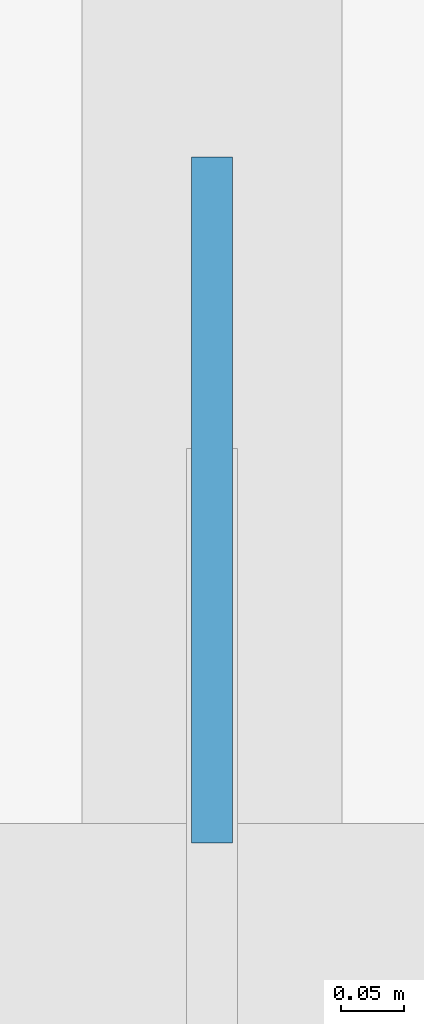
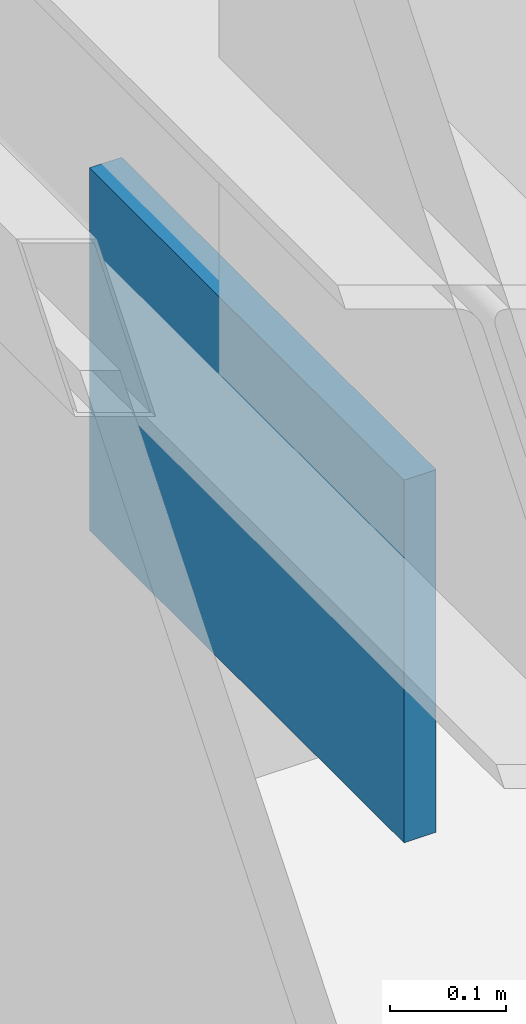
# One storey, part 21 of 26: 1 plate.
"""IFC4 building model written with IfcOpenShell, lengths in metres."""

from ifc_helpers import new_model, si_unit, direction, frame, origin, origin_2d, place, context, subcontext, project, spatial, rectangle, extrude, source, transform, mapped, material, layer, layer_set, type_object, type_shapes, element, save


model = new_model("IFC4")

# Units and contexts
model_context = context("Model", 3, precision=1e-05, world=origin(), true_north=direction((0.0, 1.0)))
body_context = subcontext(model_context, "Body", "Model", "MODEL_VIEW")
ifc_project = project(units=[si_unit("LENGTHUNIT", "METRE"), si_unit("AREAUNIT", "SQUARE_METRE"), si_unit("VOLUMEUNIT", "CUBIC_METRE"), si_unit("PLANEANGLEUNIT", "RADIAN"), si_unit("MASSUNIT", "GRAM", prefix="KILO")], contexts=[model_context])

# Site, building, storey
site_placement = place(None, origin())
site = spatial("IfcSite", under=ifc_project, at=site_placement, CompositionType="ELEMENT")
building_placement = place(site_placement, origin())
building = spatial("IfcBuilding", under=site, at=building_placement, Name="Varnel Quay Broadcast Tower", CompositionType="ELEMENT")
storey_placement = place(building_placement, frame((0.0, 0.0, 218.800048828125)))
storey = spatial("IfcBuildingStorey", under=building, at=storey_placement, Name="L54", CompositionType="ELEMENT", Elevation=218.800048828125)

# Plate
ifc_material = material(Name="Structural Steel CSA G40.21 350WT", Category="steel")
ifc_layer = layer(ifc_material, 0.031982421875, Name="Structural Steel CSA G40.21 350WT")
ifc_layer_set = layer_set([ifc_layer], Name="Structural Steel CSA G40.21 350WT")
plate_type = type_object("IfcPlateType", Name="Plate_EndCap", PredefinedType="USERDEFINED", material=ifc_layer_set)
shared_shape = source(origin(), body_context, "Body", "SweptSolid", [
    extrude(rectangle(XDim=0.5400390625, YDim=0.031982421875, at=origin_2d()), origin(), (0.0, 0.0, 1.0), 0.3798828125),
])
type_shapes(plate_type, [shared_shape])
plate_placement = place(storey_placement, frame((9.949951171875, 25.306640625, 2.91357421875), z_axis=(0.0, 0.0, 1.0), x_axis=(0.0, 1.0, 0.0)))
element("IfcPlate", 1, at=plate_placement, inside=storey, type_object=plate_type, Name="Zone 4 Mega-Brace W-FT2 Diag B1 End Connection Plate P1", ObjectType="CAP_PLATE", PredefinedType="USERDEFINED", context=body_context, shape_type="MappedRepresentation", body=[
    mapped(shared_shape, transform((0.0, 0.0, 0.0), x_axis=(1.0, 0.0, 0.0), y_axis=(0.0, 1.0, 0.0), z_axis=(0.0, 0.0, 1.0), scale=1.0)),
])

save(model, "model.ifc")
